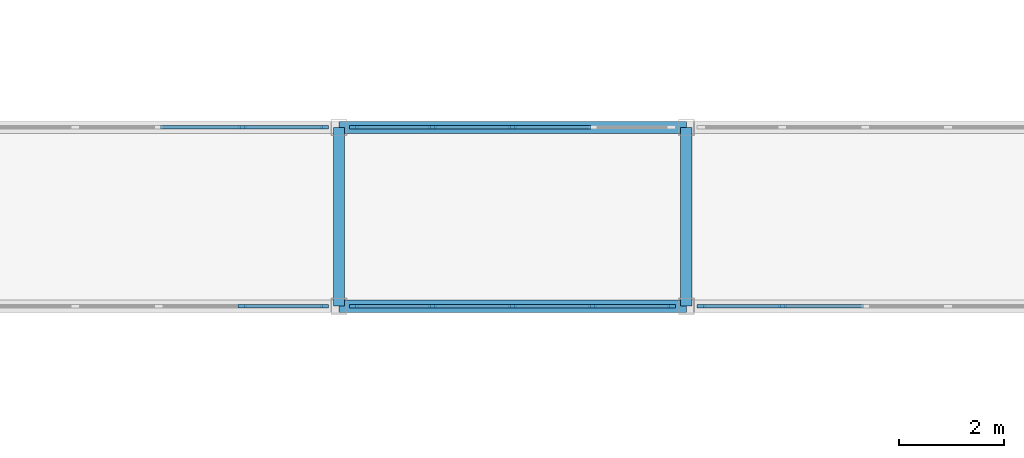
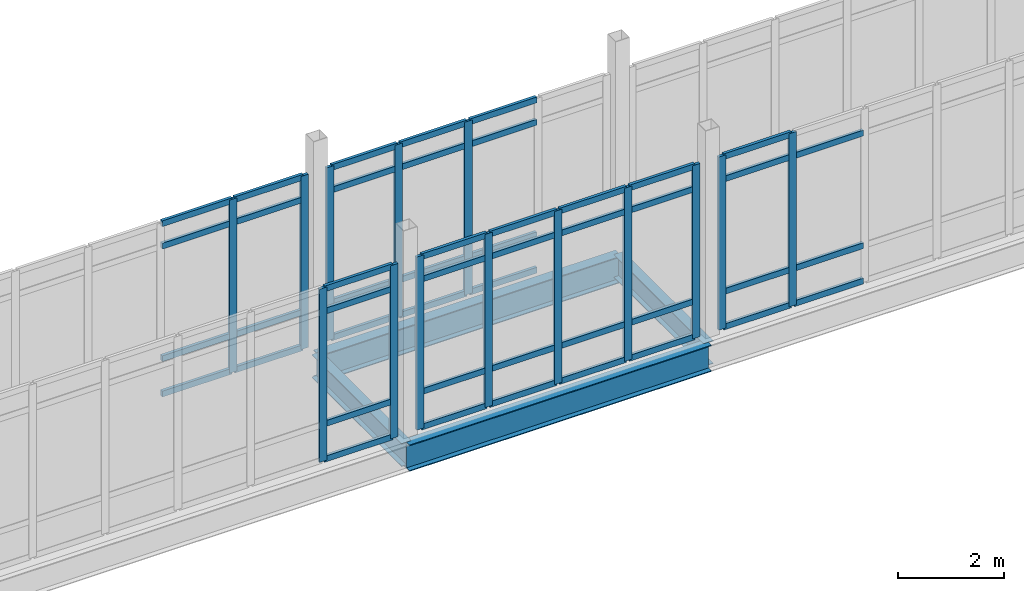
# One storey, part 43 of 125: 61 members, 4 beams, 5 elements without a shape of their own.
"""IFC4 building model written with IfcOpenShell, lengths in metres."""

from ifc_helpers import new_model, si_unit, direction, frame, origin, origin_2d, place, context, subcontext, project, spatial, rectangle, i_section, extrude, material, material_profile, profile_set, type_object, element, aggregate, save


model = new_model("IFC4")

# Units and contexts
model_context = context("Model", 3, precision=1e-05, world=origin(), true_north=direction((0.0, 1.0)))
body_context = subcontext(model_context, "Body", "Model", "MODEL_VIEW")
ifc_project = project(units=[si_unit("LENGTHUNIT", "METRE"), si_unit("AREAUNIT", "SQUARE_METRE"), si_unit("VOLUMEUNIT", "CUBIC_METRE"), si_unit("PLANEANGLEUNIT", "RADIAN"), si_unit("MASSUNIT", "GRAM", prefix="KILO")], contexts=[model_context])

# Site, building, storey
site_placement = place(None, origin())
site = spatial("IfcSite", under=ifc_project, at=site_placement, CompositionType="ELEMENT")
building_placement = place(site_placement, origin())
building = spatial("IfcBuilding", under=site, at=building_placement, Name="Dornvale Research Institute", CompositionType="ELEMENT")
storey_placement = place(building_placement, frame((0.0, 0.0, 5.39990234375)))
storey = spatial("IfcBuildingStorey", under=building, at=storey_placement, Name="L01", CompositionType="ELEMENT", Elevation=5.39990234375)

# Beams
ifc_material_1 = material(Name="Steel ASTM A992 Grade 50", Category="steel")
ifc_material_profile_1 = material_profile(ifc_material_1, i_section(OverallWidth=0.2099609375, OverallDepth=0.535888671875, WebThickness=0.010986328125, FlangeThickness=0.017333984375, at=origin_2d()), Name="W21X68")
ifc_profile_set_1 = profile_set([ifc_material_profile_1], Name="Steel ASTM A992 Grade 50")
beam_type_1 = type_object("IfcBeamType", Name="Beam_Steel_W21X68_Ext", PredefinedType="BEAM", material=ifc_profile_set_1)
for number, where, z_axis, x_axis, name in (
    (1, (99.0, 113.10009765625, -0.48779296875), (0.0, 1.0, 0.0), (-1.0, 0.0, 0.0), "L01 BR-5 portal cap beam #2026"),
    (2, (105.60009765625, 113.10009765625, -0.48779296875), (0.0, 1.0, 0.0), (-1.0, 0.0, 0.0), "L01 BR-5 portal cap beam #2026"),
):
    element("IfcBeam", number, at=place(storey_placement, frame(where, z_axis=z_axis, x_axis=x_axis)), inside=storey, type_object=beam_type_1, Name=name, PredefinedType="BEAM", context=body_context, shape_type="SweptSolid", body=[
        extrude(i_section(OverallWidth=0.2099609375, OverallDepth=0.535888671875, WebThickness=0.010986328125, FlangeThickness=0.017333984375, at=origin_2d()), origin(), (0.0, 0.0, 1.0), 3.39990234375),
    ])
ifc_material_2 = material(Name="Steel ASTM A992 Grade 50", Category="steel")
ifc_material_profile_2 = material_profile(ifc_material_2, i_section(OverallWidth=0.22900390625, OverallDepth=0.612060546875, WebThickness=0.011962890625, FlangeThickness=0.01953125, at=origin_2d()), Name="W24X84")
ifc_profile_set_2 = profile_set([ifc_material_profile_2], Name="Steel ASTM A992 Grade 50")
beam_type_2 = type_object("IfcBeamType", Name="Beam_Steel_W24X84_Bridge", PredefinedType="BEAM", material=ifc_profile_set_2)
for number, where, z_axis, x_axis, name in (
    (3, (99.0, 113.10009765625, -0.52587890625), (1.0, 0.0, 0.0), (0.0, 1.0, 0.0), "L01 BR-5 south girder #2026"),
    (4, (99.0, 116.5, -0.52587890625), (1.0, 0.0, 0.0), (0.0, 1.0, 0.0), "L01 BR-5 north girder #2026"),
):
    element("IfcBeam", number, at=place(storey_placement, frame(where, z_axis=z_axis, x_axis=x_axis)), inside=storey, type_object=beam_type_2, Name=name, PredefinedType="BEAM", context=body_context, shape_type="SweptSolid", body=[
        extrude(i_section(OverallWidth=0.22900390625, OverallDepth=0.612060546875, WebThickness=0.011962890625, FlangeThickness=0.01953125, at=origin_2d()), origin(), (0.0, 0.0, 1.0), 6.60009765625),
    ])

# Curtain wall, members
ifc_material_3 = material(Name="Low-E Argon Double Insulating Glazing Unit", Category="glass")
curtain_wall_type_1 = type_object("IfcCurtainWallType", Name="UnitisedCurtainWall_V2_12700x4000", PredefinedType="USERDEFINED", material=ifc_material_3)
curtain_wall_1_placement = place(storey_placement, origin())
curtain_wall_1 = element("IfcCurtainWall", 5, at=curtain_wall_1_placement, inside=storey, type_object=curtain_wall_type_1, Name="L01 V2 unitised curtain wall CW-42 #217", ObjectType="UNITISED CURTAIN WALL", PredefinedType="USERDEFINED")
ifc_material_4 = material(Name="Anodized Aluminum AA 6063-T6 Thermally Broken Frame", Category="aluminium")
ifc_material_profile_3 = material_profile(ifc_material_4, rectangle(XDim=0.06494140625, YDim=0.1650390625, at=origin_2d()), Name="ALU MULLION 65x165")
ifc_profile_set_3 = profile_set([ifc_material_profile_3], Name="Anodized Aluminum AA 6063-T6 Thermally Broken Frame")
member_type_1 = type_object("IfcMemberType", Name="Mullion_Atrium_65x165", PredefinedType="MULLION", material=ifc_profile_set_3)
member_1_placement = place(storey_placement, frame((97.16259765625, 116.5, 0.0), z_axis=(0.0, 0.0, 1.0), x_axis=(0.0, 1.0, 0.0)))
member_1 = element("IfcMember", 6, at=member_1_placement, type_object=member_type_1, Name="CW-42 mullion 8", PredefinedType="MULLION", context=body_context, shape_type="SweptSolid", body=[
    extrude(rectangle(XDim=0.06494140625, YDim=0.1650390625, at=origin_2d()), origin(), (0.0, 0.0, 1.0), 4.0),
])
member_2_placement = place(storey_placement, frame((98.717529296875, 116.5, 0.0), z_axis=(0.0, 0.0, 1.0), x_axis=(0.0, 1.0, 0.0)))
member_2 = element("IfcMember", 7, at=member_2_placement, type_object=member_type_1, Name="CW-42 mullion 9", PredefinedType="MULLION", context=body_context, shape_type="SweptSolid", body=[
    extrude(rectangle(XDim=0.06494140625, YDim=0.1650390625, at=origin_2d()), origin(), (0.0, 0.0, 1.0), 4.0),
])

curtain_wall_2_placement = place(storey_placement, origin())
curtain_wall_2 = element("IfcCurtainWall", 8, at=curtain_wall_2_placement, inside=storey, type_object=curtain_wall_type_1, Name="L01 V2 unitised curtain wall CW-42 #218", ObjectType="UNITISED CURTAIN WALL", PredefinedType="USERDEFINED")
member_3_placement = place(storey_placement, frame((98.717529296875, 113.10009765625, 0.0), z_axis=(0.0, 0.0, 1.0), x_axis=(0.0, -1.0, 0.0)))
member_3 = element("IfcMember", 9, at=member_3_placement, type_object=member_type_1, Name="CW-42 mullion 1", PredefinedType="MULLION", context=body_context, shape_type="SweptSolid", body=[
    extrude(rectangle(XDim=0.06494140625, YDim=0.1650390625, at=origin_2d()), origin(), (0.0, 0.0, 1.0), 4.0),
])
member_4_placement = place(storey_placement, frame((97.16259765625, 113.10009765625, 0.0), z_axis=(0.0, 0.0, 1.0), x_axis=(0.0, -1.0, 0.0)))
member_4 = element("IfcMember", 10, at=member_4_placement, type_object=member_type_1, Name="CW-42 mullion 2", PredefinedType="MULLION", context=body_context, shape_type="SweptSolid", body=[
    extrude(rectangle(XDim=0.06494140625, YDim=0.1650390625, at=origin_2d()), origin(), (0.0, 0.0, 1.0), 4.0),
])

ifc_material_5 = material(Name="Low-E Argon Double Insulating Glazing Unit", Category="glass")
curtain_wall_type_2 = type_object("IfcCurtainWallType", Name="UnitisedCurtainWall_V2_6100x4000", PredefinedType="USERDEFINED", material=ifc_material_5)
curtain_wall_3_placement = place(storey_placement, origin())
curtain_wall_3 = element("IfcCurtainWall", 11, at=curtain_wall_3_placement, inside=storey, type_object=curtain_wall_type_2, Name="L01 V2 unitised curtain wall CW-43 #219", ObjectType="UNITISED CURTAIN WALL", PredefinedType="USERDEFINED")
member_5_placement = place(storey_placement, frame((99.282470703125, 116.5, 0.0), z_axis=(0.0, 0.0, 1.0), x_axis=(0.0, 1.0, 0.0)))
member_5 = element("IfcMember", 12, at=member_5_placement, type_object=member_type_1, Name="CW-43 mullion 1", PredefinedType="MULLION", context=body_context, shape_type="SweptSolid", body=[
    extrude(rectangle(XDim=0.06494140625, YDim=0.1650390625, at=origin_2d()), origin(), (0.0, 0.0, 1.0), 4.0),
])
member_6_placement = place(storey_placement, frame((100.77490234375, 116.5, 0.0), z_axis=(0.0, 0.0, 1.0), x_axis=(0.0, 1.0, 0.0)))
member_6 = element("IfcMember", 13, at=member_6_placement, type_object=member_type_1, Name="CW-43 mullion 2", PredefinedType="MULLION", context=body_context, shape_type="SweptSolid", body=[
    extrude(rectangle(XDim=0.06494140625, YDim=0.1650390625, at=origin_2d()), origin(), (0.0, 0.0, 1.0), 4.0),
])
member_7_placement = place(storey_placement, frame((102.300048828125, 116.5, 0.0), z_axis=(0.0, 0.0, 1.0), x_axis=(0.0, 1.0, 0.0)))
member_7 = element("IfcMember", 14, at=member_7_placement, type_object=member_type_1, Name="CW-43 mullion 3", PredefinedType="MULLION", context=body_context, shape_type="SweptSolid", body=[
    extrude(rectangle(XDim=0.06494140625, YDim=0.1650390625, at=origin_2d()), origin(), (0.0, 0.0, 1.0), 4.0),
])

curtain_wall_4_placement = place(storey_placement, origin())
curtain_wall_4 = element("IfcCurtainWall", 15, at=curtain_wall_4_placement, inside=storey, type_object=curtain_wall_type_2, Name="L01 V2 unitised curtain wall CW-43 #220", ObjectType="UNITISED CURTAIN WALL", PredefinedType="USERDEFINED")
member_8_placement = place(storey_placement, frame((105.3173828125, 113.10009765625, 0.0), z_axis=(0.0, 0.0, 1.0), x_axis=(0.0, -1.0, 0.0)))
member_8 = element("IfcMember", 16, at=member_8_placement, type_object=member_type_1, Name="CW-43 mullion 1", PredefinedType="MULLION", context=body_context, shape_type="SweptSolid", body=[
    extrude(rectangle(XDim=0.06494140625, YDim=0.1650390625, at=origin_2d()), origin(), (0.0, 0.0, 1.0), 4.0),
])
member_9_placement = place(storey_placement, frame((103.824951171875, 113.10009765625, 0.0), z_axis=(0.0, 0.0, 1.0), x_axis=(0.0, -1.0, 0.0)))
member_9 = element("IfcMember", 17, at=member_9_placement, type_object=member_type_1, Name="CW-43 mullion 2", PredefinedType="MULLION", context=body_context, shape_type="SweptSolid", body=[
    extrude(rectangle(XDim=0.06494140625, YDim=0.1650390625, at=origin_2d()), origin(), (0.0, 0.0, 1.0), 4.0),
])
member_10_placement = place(storey_placement, frame((102.300048828125, 113.10009765625, 0.0), z_axis=(0.0, 0.0, 1.0), x_axis=(0.0, -1.0, 0.0)))
member_10 = element("IfcMember", 18, at=member_10_placement, type_object=member_type_1, Name="CW-43 mullion 3", PredefinedType="MULLION", context=body_context, shape_type="SweptSolid", body=[
    extrude(rectangle(XDim=0.06494140625, YDim=0.1650390625, at=origin_2d()), origin(), (0.0, 0.0, 1.0), 4.0),
])
member_11_placement = place(storey_placement, frame((100.77490234375, 113.10009765625, 0.0), z_axis=(0.0, 0.0, 1.0), x_axis=(0.0, -1.0, 0.0)))
member_11 = element("IfcMember", 19, at=member_11_placement, type_object=member_type_1, Name="CW-43 mullion 4", PredefinedType="MULLION", context=body_context, shape_type="SweptSolid", body=[
    extrude(rectangle(XDim=0.06494140625, YDim=0.1650390625, at=origin_2d()), origin(), (0.0, 0.0, 1.0), 4.0),
])
member_12_placement = place(storey_placement, frame((99.282470703125, 113.10009765625, 0.0), z_axis=(0.0, 0.0, 1.0), x_axis=(0.0, -1.0, 0.0)))
member_12 = element("IfcMember", 20, at=member_12_placement, type_object=member_type_1, Name="CW-43 mullion 5", PredefinedType="MULLION", context=body_context, shape_type="SweptSolid", body=[
    extrude(rectangle(XDim=0.06494140625, YDim=0.1650390625, at=origin_2d()), origin(), (0.0, 0.0, 1.0), 4.0),
])

ifc_material_6 = material(Name="Low-E Argon Double Insulating Glazing Unit", Category="glass")
curtain_wall_type_3 = type_object("IfcCurtainWallType", Name="UnitisedCurtainWall_V2_12600x4000", PredefinedType="USERDEFINED", material=ifc_material_6)
curtain_wall_5_placement = place(storey_placement, origin())
curtain_wall_5 = element("IfcCurtainWall", 21, at=curtain_wall_5_placement, inside=storey, type_object=curtain_wall_type_3, Name="L01 V2 unitised curtain wall CW-41 #222", ObjectType="UNITISED CURTAIN WALL", PredefinedType="USERDEFINED")
member_13_placement = place(storey_placement, frame((107.425048828125, 113.10009765625, 0.0), z_axis=(0.0, 0.0, 1.0), x_axis=(0.0, -1.0, 0.0)))
member_13 = element("IfcMember", 22, at=member_13_placement, type_object=member_type_1, Name="CW-41 mullion 8", PredefinedType="MULLION", context=body_context, shape_type="SweptSolid", body=[
    extrude(rectangle(XDim=0.06494140625, YDim=0.1650390625, at=origin_2d()), origin(), (0.0, 0.0, 1.0), 4.0),
])
member_14_placement = place(storey_placement, frame((105.882568359375, 113.10009765625, 0.0), z_axis=(0.0, 0.0, 1.0), x_axis=(0.0, -1.0, 0.0)))
member_14 = element("IfcMember", 23, at=member_14_placement, type_object=member_type_1, Name="CW-41 mullion 9", PredefinedType="MULLION", context=body_context, shape_type="SweptSolid", body=[
    extrude(rectangle(XDim=0.06494140625, YDim=0.1650390625, at=origin_2d()), origin(), (0.0, 0.0, 1.0), 4.0),
])

# Member
ifc_material_7 = material(Name="Anodized Aluminum AA 6063-T6 Thermally Broken Frame", Category="aluminium")
ifc_material_profile_4 = material_profile(ifc_material_7, rectangle(XDim=0.06494140625, YDim=0.135009765625, at=origin_2d()), Name="ALU TRANSOM 65x135")
ifc_profile_set_4 = profile_set([ifc_material_profile_4], Name="Anodized Aluminum AA 6063-T6 Thermally Broken Frame")
member_type_2 = type_object("IfcMemberType", Name="Transom_CW_65x135", PredefinedType="USERDEFINED", material=ifc_profile_set_4)
member_15_placement = place(storey_placement, frame((95.607421875, 116.5, 0.03271484375), z_axis=(1.0, 0.0, 0.0), x_axis=(0.0, 1.0, 0.0)))
member_15 = element("IfcMember", 24, at=member_15_placement, type_object=member_type_2, Name="CW-42 transom 7.1", ObjectType="TRANSOM", PredefinedType="USERDEFINED", context=body_context, shape_type="SweptSolid", body=[
    extrude(rectangle(XDim=0.06494140625, YDim=0.135009765625, at=origin_2d()), origin(), (0.0, 0.0, 1.0), 1.5224609375),
])

member_16_placement = place(storey_placement, frame((95.607421875, 116.5, 0.85009765625), z_axis=(1.0, 0.0, 0.0), x_axis=(0.0, 1.0, 0.0)))
member_16 = element("IfcMember", 25, at=member_16_placement, type_object=member_type_2, Name="CW-42 transom 7.2", ObjectType="TRANSOM", PredefinedType="USERDEFINED", context=body_context, shape_type="SweptSolid", body=[
    extrude(rectangle(XDim=0.06494140625, YDim=0.135009765625, at=origin_2d()), origin(), (0.0, 0.0, 1.0), 1.5224609375),
])

member_17_placement = place(storey_placement, frame((95.607421875, 116.5, 3.4501953125), z_axis=(1.0, 0.0, 0.0), x_axis=(0.0, 1.0, 0.0)))
member_17 = element("IfcMember", 26, at=member_17_placement, type_object=member_type_2, Name="CW-42 transom 7.3", ObjectType="TRANSOM", PredefinedType="USERDEFINED", context=body_context, shape_type="SweptSolid", body=[
    extrude(rectangle(XDim=0.06494140625, YDim=0.135009765625, at=origin_2d()), origin(), (0.0, 0.0, 1.0), 1.5224609375),
])

member_18_placement = place(storey_placement, frame((95.607421875, 116.5, 3.967529296875), z_axis=(1.0, 0.0, 0.0), x_axis=(0.0, 1.0, 0.0)))
member_18 = element("IfcMember", 27, at=member_18_placement, type_object=member_type_2, Name="CW-42 transom 7.4", ObjectType="TRANSOM", PredefinedType="USERDEFINED", context=body_context, shape_type="SweptSolid", body=[
    extrude(rectangle(XDim=0.06494140625, YDim=0.135009765625, at=origin_2d()), origin(), (0.0, 0.0, 1.0), 1.5224609375),
])

member_19_placement = place(storey_placement, frame((97.195068359375, 116.5, 0.03271484375), z_axis=(1.0, 0.0, 0.0), x_axis=(0.0, 1.0, 0.0)))
member_19 = element("IfcMember", 28, at=member_19_placement, type_object=member_type_2, Name="CW-42 transom 8.1", ObjectType="TRANSOM", PredefinedType="USERDEFINED", context=body_context, shape_type="SweptSolid", body=[
    extrude(rectangle(XDim=0.06494140625, YDim=0.135009765625, at=origin_2d()), origin(), (0.0, 0.0, 1.0), 1.489990234375),
])

member_20_placement = place(storey_placement, frame((97.195068359375, 116.5, 0.85009765625), z_axis=(1.0, 0.0, 0.0), x_axis=(0.0, 1.0, 0.0)))
member_20 = element("IfcMember", 29, at=member_20_placement, type_object=member_type_2, Name="CW-42 transom 8.2", ObjectType="TRANSOM", PredefinedType="USERDEFINED", context=body_context, shape_type="SweptSolid", body=[
    extrude(rectangle(XDim=0.06494140625, YDim=0.135009765625, at=origin_2d()), origin(), (0.0, 0.0, 1.0), 1.489990234375),
])

member_21_placement = place(storey_placement, frame((97.195068359375, 116.5, 3.4501953125), z_axis=(1.0, 0.0, 0.0), x_axis=(0.0, 1.0, 0.0)))
member_21 = element("IfcMember", 30, at=member_21_placement, type_object=member_type_2, Name="CW-42 transom 8.3", ObjectType="TRANSOM", PredefinedType="USERDEFINED", context=body_context, shape_type="SweptSolid", body=[
    extrude(rectangle(XDim=0.06494140625, YDim=0.135009765625, at=origin_2d()), origin(), (0.0, 0.0, 1.0), 1.489990234375),
])

member_22_placement = place(storey_placement, frame((97.195068359375, 116.5, 3.967529296875), z_axis=(1.0, 0.0, 0.0), x_axis=(0.0, 1.0, 0.0)))
member_22 = element("IfcMember", 31, at=member_22_placement, type_object=member_type_2, Name="CW-42 transom 8.4", ObjectType="TRANSOM", PredefinedType="USERDEFINED", context=body_context, shape_type="SweptSolid", body=[
    extrude(rectangle(XDim=0.06494140625, YDim=0.135009765625, at=origin_2d()), origin(), (0.0, 0.0, 1.0), 1.489990234375),
])

aggregate(curtain_wall_1, [member_1, member_2, member_15, member_16, member_17, member_18, member_19, member_20, member_21, member_22])

member_23_placement = place(storey_placement, frame((98.68505859375, 113.10009765625, 0.03271484375), z_axis=(-1.0, 0.0, 0.0), x_axis=(0.0, -1.0, 0.0)))
member_23 = element("IfcMember", 32, at=member_23_placement, type_object=member_type_2, Name="CW-42 transom 1.1", ObjectType="TRANSOM", PredefinedType="USERDEFINED", context=body_context, shape_type="SweptSolid", body=[
    extrude(rectangle(XDim=0.06494140625, YDim=0.135009765625, at=origin_2d()), origin(), (0.0, 0.0, 1.0), 1.489990234375),
])

member_24_placement = place(storey_placement, frame((98.68505859375, 113.10009765625, 0.85009765625), z_axis=(-1.0, 0.0, 0.0), x_axis=(0.0, -1.0, 0.0)))
member_24 = element("IfcMember", 33, at=member_24_placement, type_object=member_type_2, Name="CW-42 transom 1.2", ObjectType="TRANSOM", PredefinedType="USERDEFINED", context=body_context, shape_type="SweptSolid", body=[
    extrude(rectangle(XDim=0.06494140625, YDim=0.135009765625, at=origin_2d()), origin(), (0.0, 0.0, 1.0), 1.489990234375),
])

member_25_placement = place(storey_placement, frame((98.68505859375, 113.10009765625, 3.4501953125), z_axis=(-1.0, 0.0, 0.0), x_axis=(0.0, -1.0, 0.0)))
member_25 = element("IfcMember", 34, at=member_25_placement, type_object=member_type_2, Name="CW-42 transom 1.3", ObjectType="TRANSOM", PredefinedType="USERDEFINED", context=body_context, shape_type="SweptSolid", body=[
    extrude(rectangle(XDim=0.06494140625, YDim=0.135009765625, at=origin_2d()), origin(), (0.0, 0.0, 1.0), 1.489990234375),
])

member_26_placement = place(storey_placement, frame((98.68505859375, 113.10009765625, 3.967529296875), z_axis=(-1.0, 0.0, 0.0), x_axis=(0.0, -1.0, 0.0)))
member_26 = element("IfcMember", 35, at=member_26_placement, type_object=member_type_2, Name="CW-42 transom 1.4", ObjectType="TRANSOM", PredefinedType="USERDEFINED", context=body_context, shape_type="SweptSolid", body=[
    extrude(rectangle(XDim=0.06494140625, YDim=0.135009765625, at=origin_2d()), origin(), (0.0, 0.0, 1.0), 1.489990234375),
])

aggregate(curtain_wall_2, [member_3, member_4, member_23, member_24, member_25, member_26])

member_27_placement = place(storey_placement, frame((99.31494140625, 116.5, 0.03271484375), z_axis=(1.0, 0.0, 0.0), x_axis=(0.0, 1.0, 0.0)))
member_27 = element("IfcMember", 36, at=member_27_placement, type_object=member_type_2, Name="CW-43 transom 1.1", ObjectType="TRANSOM", PredefinedType="USERDEFINED", context=body_context, shape_type="SweptSolid", body=[
    extrude(rectangle(XDim=0.06494140625, YDim=0.135009765625, at=origin_2d()), origin(), (0.0, 0.0, 1.0), 1.427490234375),
])

member_28_placement = place(storey_placement, frame((99.31494140625, 116.5, 0.85009765625), z_axis=(1.0, 0.0, 0.0), x_axis=(0.0, 1.0, 0.0)))
member_28 = element("IfcMember", 37, at=member_28_placement, type_object=member_type_2, Name="CW-43 transom 1.2", ObjectType="TRANSOM", PredefinedType="USERDEFINED", context=body_context, shape_type="SweptSolid", body=[
    extrude(rectangle(XDim=0.06494140625, YDim=0.135009765625, at=origin_2d()), origin(), (0.0, 0.0, 1.0), 1.427490234375),
])

member_29_placement = place(storey_placement, frame((99.31494140625, 116.5, 3.4501953125), z_axis=(1.0, 0.0, 0.0), x_axis=(0.0, 1.0, 0.0)))
member_29 = element("IfcMember", 38, at=member_29_placement, type_object=member_type_2, Name="CW-43 transom 1.3", ObjectType="TRANSOM", PredefinedType="USERDEFINED", context=body_context, shape_type="SweptSolid", body=[
    extrude(rectangle(XDim=0.06494140625, YDim=0.135009765625, at=origin_2d()), origin(), (0.0, 0.0, 1.0), 1.427490234375),
])

member_30_placement = place(storey_placement, frame((99.31494140625, 116.5, 3.967529296875), z_axis=(1.0, 0.0, 0.0), x_axis=(0.0, 1.0, 0.0)))
member_30 = element("IfcMember", 39, at=member_30_placement, type_object=member_type_2, Name="CW-43 transom 1.4", ObjectType="TRANSOM", PredefinedType="USERDEFINED", context=body_context, shape_type="SweptSolid", body=[
    extrude(rectangle(XDim=0.06494140625, YDim=0.135009765625, at=origin_2d()), origin(), (0.0, 0.0, 1.0), 1.427490234375),
])

member_31_placement = place(storey_placement, frame((100.8076171875, 116.5, 0.03271484375), z_axis=(1.0, 0.0, 0.0), x_axis=(0.0, 1.0, 0.0)))
member_31 = element("IfcMember", 40, at=member_31_placement, type_object=member_type_2, Name="CW-43 transom 2.1", ObjectType="TRANSOM", PredefinedType="USERDEFINED", context=body_context, shape_type="SweptSolid", body=[
    extrude(rectangle(XDim=0.06494140625, YDim=0.135009765625, at=origin_2d()), origin(), (0.0, 0.0, 1.0), 1.4599609375),
])

member_32_placement = place(storey_placement, frame((100.8076171875, 116.5, 0.85009765625), z_axis=(1.0, 0.0, 0.0), x_axis=(0.0, 1.0, 0.0)))
member_32 = element("IfcMember", 41, at=member_32_placement, type_object=member_type_2, Name="CW-43 transom 2.2", ObjectType="TRANSOM", PredefinedType="USERDEFINED", context=body_context, shape_type="SweptSolid", body=[
    extrude(rectangle(XDim=0.06494140625, YDim=0.135009765625, at=origin_2d()), origin(), (0.0, 0.0, 1.0), 1.4599609375),
])

member_33_placement = place(storey_placement, frame((100.8076171875, 116.5, 3.4501953125), z_axis=(1.0, 0.0, 0.0), x_axis=(0.0, 1.0, 0.0)))
member_33 = element("IfcMember", 42, at=member_33_placement, type_object=member_type_2, Name="CW-43 transom 2.3", ObjectType="TRANSOM", PredefinedType="USERDEFINED", context=body_context, shape_type="SweptSolid", body=[
    extrude(rectangle(XDim=0.06494140625, YDim=0.135009765625, at=origin_2d()), origin(), (0.0, 0.0, 1.0), 1.4599609375),
])

member_34_placement = place(storey_placement, frame((100.8076171875, 116.5, 3.967529296875), z_axis=(1.0, 0.0, 0.0), x_axis=(0.0, 1.0, 0.0)))
member_34 = element("IfcMember", 43, at=member_34_placement, type_object=member_type_2, Name="CW-43 transom 2.4", ObjectType="TRANSOM", PredefinedType="USERDEFINED", context=body_context, shape_type="SweptSolid", body=[
    extrude(rectangle(XDim=0.06494140625, YDim=0.135009765625, at=origin_2d()), origin(), (0.0, 0.0, 1.0), 1.4599609375),
])

member_35_placement = place(storey_placement, frame((102.33251953125, 116.5, 0.03271484375), z_axis=(1.0, 0.0, 0.0), x_axis=(0.0, 1.0, 0.0)))
member_35 = element("IfcMember", 44, at=member_35_placement, type_object=member_type_2, Name="CW-43 transom 3.1", ObjectType="TRANSOM", PredefinedType="USERDEFINED", context=body_context, shape_type="SweptSolid", body=[
    extrude(rectangle(XDim=0.06494140625, YDim=0.135009765625, at=origin_2d()), origin(), (0.0, 0.0, 1.0), 1.4599609375),
])

member_36_placement = place(storey_placement, frame((102.33251953125, 116.5, 0.85009765625), z_axis=(1.0, 0.0, 0.0), x_axis=(0.0, 1.0, 0.0)))
member_36 = element("IfcMember", 45, at=member_36_placement, type_object=member_type_2, Name="CW-43 transom 3.2", ObjectType="TRANSOM", PredefinedType="USERDEFINED", context=body_context, shape_type="SweptSolid", body=[
    extrude(rectangle(XDim=0.06494140625, YDim=0.135009765625, at=origin_2d()), origin(), (0.0, 0.0, 1.0), 1.4599609375),
])

member_37_placement = place(storey_placement, frame((102.33251953125, 116.5, 3.4501953125), z_axis=(1.0, 0.0, 0.0), x_axis=(0.0, 1.0, 0.0)))
member_37 = element("IfcMember", 46, at=member_37_placement, type_object=member_type_2, Name="CW-43 transom 3.3", ObjectType="TRANSOM", PredefinedType="USERDEFINED", context=body_context, shape_type="SweptSolid", body=[
    extrude(rectangle(XDim=0.06494140625, YDim=0.135009765625, at=origin_2d()), origin(), (0.0, 0.0, 1.0), 1.4599609375),
])

member_38_placement = place(storey_placement, frame((102.33251953125, 116.5, 3.967529296875), z_axis=(1.0, 0.0, 0.0), x_axis=(0.0, 1.0, 0.0)))
member_38 = element("IfcMember", 47, at=member_38_placement, type_object=member_type_2, Name="CW-43 transom 3.4", ObjectType="TRANSOM", PredefinedType="USERDEFINED", context=body_context, shape_type="SweptSolid", body=[
    extrude(rectangle(XDim=0.06494140625, YDim=0.135009765625, at=origin_2d()), origin(), (0.0, 0.0, 1.0), 1.4599609375),
])

aggregate(curtain_wall_3, [member_5, member_6, member_7, member_27, member_28, member_29, member_30, member_31, member_32, member_33, member_34, member_35, member_36, member_37, member_38])

member_39_placement = place(storey_placement, frame((105.284912109375, 113.10009765625, 0.03271484375), z_axis=(-1.0, 0.0, 0.0), x_axis=(0.0, -1.0, 0.0)))
member_39 = element("IfcMember", 48, at=member_39_placement, type_object=member_type_2, Name="CW-43 transom 1.1", ObjectType="TRANSOM", PredefinedType="USERDEFINED", context=body_context, shape_type="SweptSolid", body=[
    extrude(rectangle(XDim=0.06494140625, YDim=0.135009765625, at=origin_2d()), origin(), (0.0, 0.0, 1.0), 1.427490234375),
])

member_40_placement = place(storey_placement, frame((105.284912109375, 113.10009765625, 0.85009765625), z_axis=(-1.0, 0.0, 0.0), x_axis=(0.0, -1.0, 0.0)))
member_40 = element("IfcMember", 49, at=member_40_placement, type_object=member_type_2, Name="CW-43 transom 1.2", ObjectType="TRANSOM", PredefinedType="USERDEFINED", context=body_context, shape_type="SweptSolid", body=[
    extrude(rectangle(XDim=0.06494140625, YDim=0.135009765625, at=origin_2d()), origin(), (0.0, 0.0, 1.0), 1.427490234375),
])

member_41_placement = place(storey_placement, frame((105.284912109375, 113.10009765625, 3.4501953125), z_axis=(-1.0, 0.0, 0.0), x_axis=(0.0, -1.0, 0.0)))
member_41 = element("IfcMember", 50, at=member_41_placement, type_object=member_type_2, Name="CW-43 transom 1.3", ObjectType="TRANSOM", PredefinedType="USERDEFINED", context=body_context, shape_type="SweptSolid", body=[
    extrude(rectangle(XDim=0.06494140625, YDim=0.135009765625, at=origin_2d()), origin(), (0.0, 0.0, 1.0), 1.427490234375),
])

member_42_placement = place(storey_placement, frame((105.284912109375, 113.10009765625, 3.967529296875), z_axis=(-1.0, 0.0, 0.0), x_axis=(0.0, -1.0, 0.0)))
member_42 = element("IfcMember", 51, at=member_42_placement, type_object=member_type_2, Name="CW-43 transom 1.4", ObjectType="TRANSOM", PredefinedType="USERDEFINED", context=body_context, shape_type="SweptSolid", body=[
    extrude(rectangle(XDim=0.06494140625, YDim=0.135009765625, at=origin_2d()), origin(), (0.0, 0.0, 1.0), 1.427490234375),
])

member_43_placement = place(storey_placement, frame((103.79248046875, 113.10009765625, 0.03271484375), z_axis=(-1.0, 0.0, 0.0), x_axis=(0.0, -1.0, 0.0)))
member_43 = element("IfcMember", 52, at=member_43_placement, type_object=member_type_2, Name="CW-43 transom 2.1", ObjectType="TRANSOM", PredefinedType="USERDEFINED", context=body_context, shape_type="SweptSolid", body=[
    extrude(rectangle(XDim=0.06494140625, YDim=0.135009765625, at=origin_2d()), origin(), (0.0, 0.0, 1.0), 1.4599609375),
])

member_44_placement = place(storey_placement, frame((103.79248046875, 113.10009765625, 0.85009765625), z_axis=(-1.0, 0.0, 0.0), x_axis=(0.0, -1.0, 0.0)))
member_44 = element("IfcMember", 53, at=member_44_placement, type_object=member_type_2, Name="CW-43 transom 2.2", ObjectType="TRANSOM", PredefinedType="USERDEFINED", context=body_context, shape_type="SweptSolid", body=[
    extrude(rectangle(XDim=0.06494140625, YDim=0.135009765625, at=origin_2d()), origin(), (0.0, 0.0, 1.0), 1.4599609375),
])

member_45_placement = place(storey_placement, frame((103.79248046875, 113.10009765625, 3.4501953125), z_axis=(-1.0, 0.0, 0.0), x_axis=(0.0, -1.0, 0.0)))
member_45 = element("IfcMember", 54, at=member_45_placement, type_object=member_type_2, Name="CW-43 transom 2.3", ObjectType="TRANSOM", PredefinedType="USERDEFINED", context=body_context, shape_type="SweptSolid", body=[
    extrude(rectangle(XDim=0.06494140625, YDim=0.135009765625, at=origin_2d()), origin(), (0.0, 0.0, 1.0), 1.4599609375),
])

member_46_placement = place(storey_placement, frame((103.79248046875, 113.10009765625, 3.967529296875), z_axis=(-1.0, 0.0, 0.0), x_axis=(0.0, -1.0, 0.0)))
member_46 = element("IfcMember", 55, at=member_46_placement, type_object=member_type_2, Name="CW-43 transom 2.4", ObjectType="TRANSOM", PredefinedType="USERDEFINED", context=body_context, shape_type="SweptSolid", body=[
    extrude(rectangle(XDim=0.06494140625, YDim=0.135009765625, at=origin_2d()), origin(), (0.0, 0.0, 1.0), 1.4599609375),
])

member_47_placement = place(storey_placement, frame((102.267578125, 113.10009765625, 0.03271484375), z_axis=(-1.0, 0.0, 0.0), x_axis=(0.0, -1.0, 0.0)))
member_47 = element("IfcMember", 56, at=member_47_placement, type_object=member_type_2, Name="CW-43 transom 3.1", ObjectType="TRANSOM", PredefinedType="USERDEFINED", context=body_context, shape_type="SweptSolid", body=[
    extrude(rectangle(XDim=0.06494140625, YDim=0.135009765625, at=origin_2d()), origin(), (0.0, 0.0, 1.0), 1.4599609375),
])

member_48_placement = place(storey_placement, frame((102.267578125, 113.10009765625, 0.85009765625), z_axis=(-1.0, 0.0, 0.0), x_axis=(0.0, -1.0, 0.0)))
member_48 = element("IfcMember", 57, at=member_48_placement, type_object=member_type_2, Name="CW-43 transom 3.2", ObjectType="TRANSOM", PredefinedType="USERDEFINED", context=body_context, shape_type="SweptSolid", body=[
    extrude(rectangle(XDim=0.06494140625, YDim=0.135009765625, at=origin_2d()), origin(), (0.0, 0.0, 1.0), 1.4599609375),
])

member_49_placement = place(storey_placement, frame((102.267578125, 113.10009765625, 3.4501953125), z_axis=(-1.0, 0.0, 0.0), x_axis=(0.0, -1.0, 0.0)))
member_49 = element("IfcMember", 58, at=member_49_placement, type_object=member_type_2, Name="CW-43 transom 3.3", ObjectType="TRANSOM", PredefinedType="USERDEFINED", context=body_context, shape_type="SweptSolid", body=[
    extrude(rectangle(XDim=0.06494140625, YDim=0.135009765625, at=origin_2d()), origin(), (0.0, 0.0, 1.0), 1.4599609375),
])

member_50_placement = place(storey_placement, frame((102.267578125, 113.10009765625, 3.967529296875), z_axis=(-1.0, 0.0, 0.0), x_axis=(0.0, -1.0, 0.0)))
member_50 = element("IfcMember", 59, at=member_50_placement, type_object=member_type_2, Name="CW-43 transom 3.4", ObjectType="TRANSOM", PredefinedType="USERDEFINED", context=body_context, shape_type="SweptSolid", body=[
    extrude(rectangle(XDim=0.06494140625, YDim=0.135009765625, at=origin_2d()), origin(), (0.0, 0.0, 1.0), 1.4599609375),
])

member_51_placement = place(storey_placement, frame((100.742431640625, 113.10009765625, 0.03271484375), z_axis=(-1.0, 0.0, 0.0), x_axis=(0.0, -1.0, 0.0)))
member_51 = element("IfcMember", 60, at=member_51_placement, type_object=member_type_2, Name="CW-43 transom 4.1", ObjectType="TRANSOM", PredefinedType="USERDEFINED", context=body_context, shape_type="SweptSolid", body=[
    extrude(rectangle(XDim=0.06494140625, YDim=0.135009765625, at=origin_2d()), origin(), (0.0, 0.0, 1.0), 1.427490234375),
])

member_52_placement = place(storey_placement, frame((100.742431640625, 113.10009765625, 0.85009765625), z_axis=(-1.0, 0.0, 0.0), x_axis=(0.0, -1.0, 0.0)))
member_52 = element("IfcMember", 61, at=member_52_placement, type_object=member_type_2, Name="CW-43 transom 4.2", ObjectType="TRANSOM", PredefinedType="USERDEFINED", context=body_context, shape_type="SweptSolid", body=[
    extrude(rectangle(XDim=0.06494140625, YDim=0.135009765625, at=origin_2d()), origin(), (0.0, 0.0, 1.0), 1.427490234375),
])

member_53_placement = place(storey_placement, frame((100.742431640625, 113.10009765625, 3.4501953125), z_axis=(-1.0, 0.0, 0.0), x_axis=(0.0, -1.0, 0.0)))
member_53 = element("IfcMember", 62, at=member_53_placement, type_object=member_type_2, Name="CW-43 transom 4.3", ObjectType="TRANSOM", PredefinedType="USERDEFINED", context=body_context, shape_type="SweptSolid", body=[
    extrude(rectangle(XDim=0.06494140625, YDim=0.135009765625, at=origin_2d()), origin(), (0.0, 0.0, 1.0), 1.427490234375),
])

member_54_placement = place(storey_placement, frame((100.742431640625, 113.10009765625, 3.967529296875), z_axis=(-1.0, 0.0, 0.0), x_axis=(0.0, -1.0, 0.0)))
member_54 = element("IfcMember", 63, at=member_54_placement, type_object=member_type_2, Name="CW-43 transom 4.4", ObjectType="TRANSOM", PredefinedType="USERDEFINED", context=body_context, shape_type="SweptSolid", body=[
    extrude(rectangle(XDim=0.06494140625, YDim=0.135009765625, at=origin_2d()), origin(), (0.0, 0.0, 1.0), 1.427490234375),
])

aggregate(curtain_wall_4, [member_8, member_9, member_10, member_11, member_12, member_39, member_40, member_41, member_42, member_43, member_44, member_45, member_46, member_47, member_48, member_49, member_50, member_51, member_52, member_53, member_54])

member_55_placement = place(storey_placement, frame((108.967529296875, 113.10009765625, 0.03271484375), z_axis=(-1.0, 0.0, 0.0), x_axis=(0.0, -1.0, 0.0)))
member_55 = element("IfcMember", 64, at=member_55_placement, type_object=member_type_2, Name="CW-41 transom 7.1", ObjectType="TRANSOM", PredefinedType="USERDEFINED", context=body_context, shape_type="SweptSolid", body=[
    extrude(rectangle(XDim=0.06494140625, YDim=0.135009765625, at=origin_2d()), origin(), (0.0, 0.0, 1.0), 1.510009765625),
])

member_56_placement = place(storey_placement, frame((108.967529296875, 113.10009765625, 0.85009765625), z_axis=(-1.0, 0.0, 0.0), x_axis=(0.0, -1.0, 0.0)))
member_56 = element("IfcMember", 65, at=member_56_placement, type_object=member_type_2, Name="CW-41 transom 7.2", ObjectType="TRANSOM", PredefinedType="USERDEFINED", context=body_context, shape_type="SweptSolid", body=[
    extrude(rectangle(XDim=0.06494140625, YDim=0.135009765625, at=origin_2d()), origin(), (0.0, 0.0, 1.0), 1.510009765625),
])

member_57_placement = place(storey_placement, frame((108.967529296875, 113.10009765625, 3.4501953125), z_axis=(-1.0, 0.0, 0.0), x_axis=(0.0, -1.0, 0.0)))
member_57 = element("IfcMember", 66, at=member_57_placement, type_object=member_type_2, Name="CW-41 transom 7.3", ObjectType="TRANSOM", PredefinedType="USERDEFINED", context=body_context, shape_type="SweptSolid", body=[
    extrude(rectangle(XDim=0.06494140625, YDim=0.135009765625, at=origin_2d()), origin(), (0.0, 0.0, 1.0), 1.510009765625),
])

member_58_placement = place(storey_placement, frame((107.392578125, 113.10009765625, 0.03271484375), z_axis=(-1.0, 0.0, 0.0), x_axis=(0.0, -1.0, 0.0)))
member_58 = element("IfcMember", 67, at=member_58_placement, type_object=member_type_2, Name="CW-41 transom 8.1", ObjectType="TRANSOM", PredefinedType="USERDEFINED", context=body_context, shape_type="SweptSolid", body=[
    extrude(rectangle(XDim=0.06494140625, YDim=0.135009765625, at=origin_2d()), origin(), (0.0, 0.0, 1.0), 1.4775390625),
])

member_59_placement = place(storey_placement, frame((107.392578125, 113.10009765625, 0.85009765625), z_axis=(-1.0, 0.0, 0.0), x_axis=(0.0, -1.0, 0.0)))
member_59 = element("IfcMember", 68, at=member_59_placement, type_object=member_type_2, Name="CW-41 transom 8.2", ObjectType="TRANSOM", PredefinedType="USERDEFINED", context=body_context, shape_type="SweptSolid", body=[
    extrude(rectangle(XDim=0.06494140625, YDim=0.135009765625, at=origin_2d()), origin(), (0.0, 0.0, 1.0), 1.4775390625),
])

member_60_placement = place(storey_placement, frame((107.392578125, 113.10009765625, 3.4501953125), z_axis=(-1.0, 0.0, 0.0), x_axis=(0.0, -1.0, 0.0)))
member_60 = element("IfcMember", 69, at=member_60_placement, type_object=member_type_2, Name="CW-41 transom 8.3", ObjectType="TRANSOM", PredefinedType="USERDEFINED", context=body_context, shape_type="SweptSolid", body=[
    extrude(rectangle(XDim=0.06494140625, YDim=0.135009765625, at=origin_2d()), origin(), (0.0, 0.0, 1.0), 1.4775390625),
])

member_61_placement = place(storey_placement, frame((107.392578125, 113.10009765625, 3.967529296875), z_axis=(-1.0, 0.0, 0.0), x_axis=(0.0, -1.0, 0.0)))
member_61 = element("IfcMember", 70, at=member_61_placement, type_object=member_type_2, Name="CW-41 transom 8.4", ObjectType="TRANSOM", PredefinedType="USERDEFINED", context=body_context, shape_type="SweptSolid", body=[
    extrude(rectangle(XDim=0.06494140625, YDim=0.135009765625, at=origin_2d()), origin(), (0.0, 0.0, 1.0), 1.4775390625),
])

aggregate(curtain_wall_5, [member_13, member_14, member_55, member_56, member_57, member_58, member_59, member_60, member_61])

save(model, "model.ifc")
